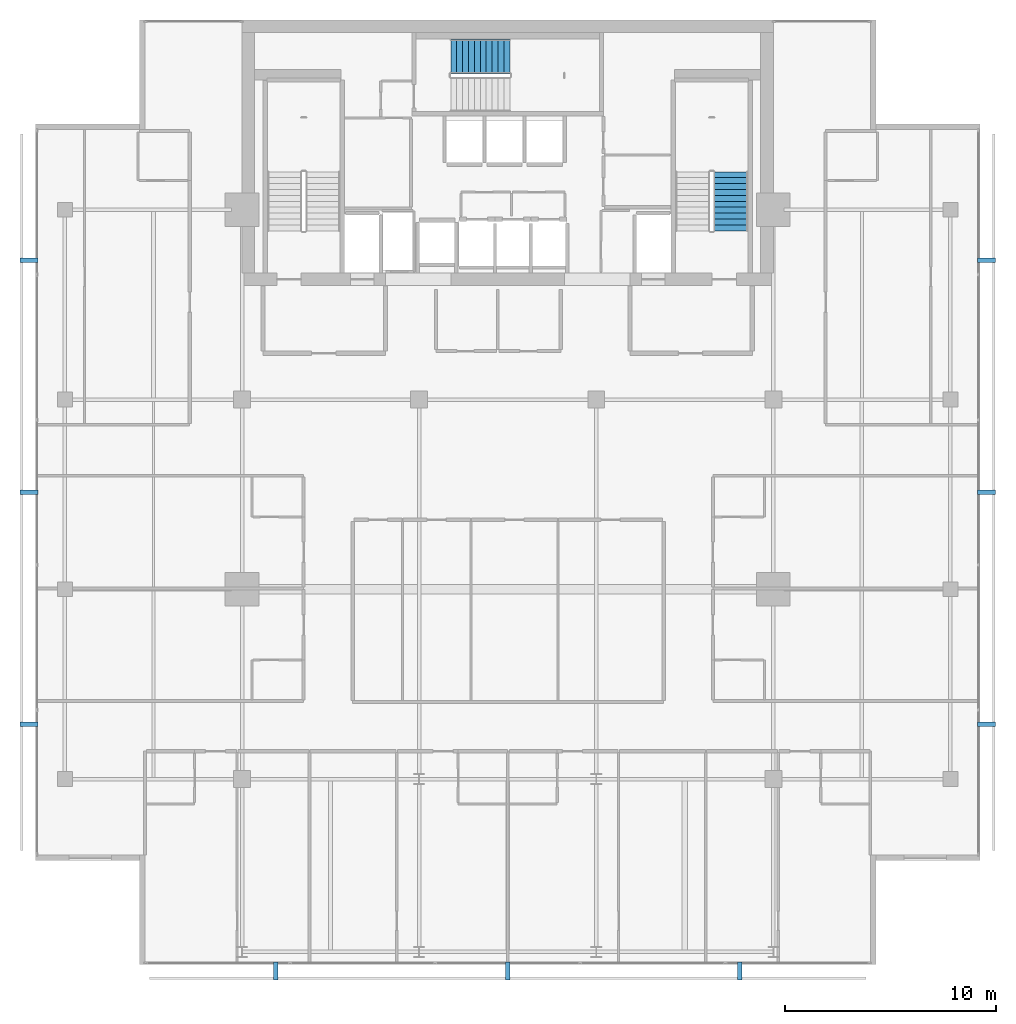
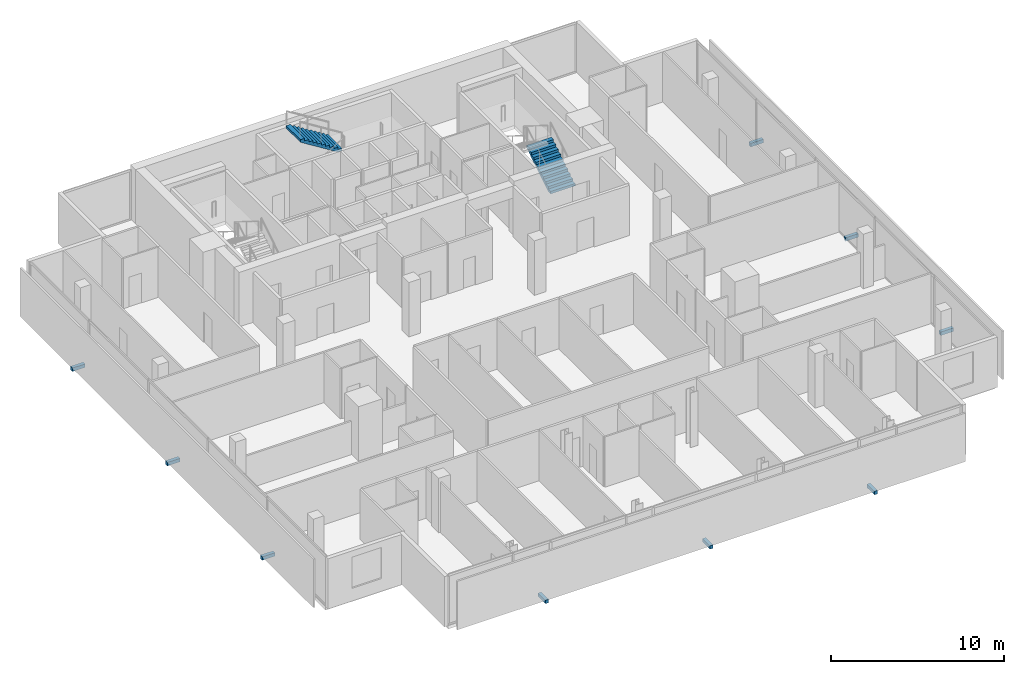
# One storey, part 24 of 26: 9 discrete accessories, 2 stair flights, 2 elements without a shape of their own.
"""IFC4 building model written with IfcOpenShell, lengths in metres."""

from ifc_helpers import new_model, si_unit, direction, frame, origin, origin_2d, place, context, subcontext, project, spatial, polyline, rectangle, outline, extrude, material, type_object, element, aggregate, save


model = new_model("IFC4")

# Units and contexts
model_context = context("Model", 3, precision=1e-05, world=origin(), true_north=direction((0.0, 1.0)))
body_context = subcontext(model_context, "Body", "Model", "MODEL_VIEW")
ifc_project = project(units=[si_unit("LENGTHUNIT", "METRE"), si_unit("AREAUNIT", "SQUARE_METRE"), si_unit("VOLUMEUNIT", "CUBIC_METRE"), si_unit("PLANEANGLEUNIT", "RADIAN"), si_unit("MASSUNIT", "GRAM", prefix="KILO")], contexts=[model_context])

# Site, building, storey
site_placement = place(None, origin())
site = spatial("IfcSite", under=ifc_project, at=site_placement, CompositionType="ELEMENT")
building_placement = place(site_placement, origin())
building = spatial("IfcBuilding", under=site, at=building_placement, Name="Maruvema Waterfront Hotel and Observation Tower", CompositionType="ELEMENT")
storey_placement = place(building_placement, frame((0.0, 0.0, 312.550048828125)))
storey = spatial("IfcBuildingStorey", under=building, at=storey_placement, Name="L77", CompositionType="ELEMENT", Elevation=312.550048828125)

# Stair, stair flight
ifc_material_1 = material(Name="Concrete C50/60", Category="concrete")
stair_type = type_object("IfcStairType", Name="Dogleg Exit Stair 1650 mm (22R x 175.0 mm)", PredefinedType="HALF_TURN_STAIR", material=ifc_material_1)
stair_1_placement = place(storey_placement, origin())
stair_1 = element("IfcStair", 1, at=stair_1_placement, inside=storey, type_object=stair_type, Name="L77 ST-02", PredefinedType="HALF_TURN_STAIR")
ifc_material_2 = material(Name="Concrete C50/60", Category="concrete")
stair_flight_type = type_object("IfcStairFlightType", Name="Reinforced Concrete Stair Flight 1650 mm (11R x 175.0 mm)", PredefinedType="STRAIGHT", material=ifc_material_2)
stair_flight_1_placement = place(storey_placement, frame((37.89990234375, 52.27490234375, 1.925048828125), z_axis=(0.0, 0.0, 1.0), x_axis=(-1.0, 0.0, 0.0)))
stair_flight_1 = element("IfcStairFlight", 2, at=stair_flight_1_placement, type_object=stair_flight_type, Name="ST-02 flight 2", NumberOfRisers=11, NumberOfTreads=10, PredefinedType="STRAIGHT", RiserHeight=0.175, TreadLength=0.28, context=body_context, shape_type="SweptSolid", body=[
    extrude(outline(polyline([(0.0, 0.0), (0.0, 0.175048828125), (0.280029296875, 0.175048828125), (0.280029296875, 0.35009765625), (0.56005859375, 0.35009765625), (0.56005859375, 0.52490234375), (0.840087890625, 0.52490234375), (0.840087890625, 0.699951171875), (1.1201171875, 0.699951171875), (1.1201171875, 0.875), (1.39990234375, 0.875), (1.39990234375, 1.050048828125), (1.679931640625, 1.050048828125), (1.679931640625, 1.22509765625), (1.9599609375, 1.22509765625), (1.9599609375, 1.39990234375), (2.239990234375, 1.39990234375), (2.239990234375, 1.574951171875), (2.52001953125, 1.574951171875), (2.52001953125, 1.75), (2.800048828125, 1.75), (2.800048828125, 1.925048828125), (2.800048828125, 1.5732421875), (0.28271484375, 0.0), (0.0, 0.0)])), frame((0.0, 0.824951171875, 0.0), z_axis=(0.0, -1.0, 0.0), x_axis=(1.0, 0.0, 0.0)), (0.0, 0.0, 1.0), 1.64990234375),
])
aggregate(stair_1, [stair_flight_1])

stair_2_placement = place(storey_placement, origin())
stair_2 = element("IfcStair", 3, at=stair_2_placement, inside=storey, type_object=stair_type, Name="L77 ST-03", PredefinedType="HALF_TURN_STAIR")
stair_flight_2_placement = place(storey_placement, frame((48.375, 44.0, 0.0), z_axis=(0.0, 0.0, 1.0), x_axis=(0.0, 1.0, 0.0)))
stair_flight_2 = element("IfcStairFlight", 4, at=stair_flight_2_placement, type_object=stair_flight_type, Name="ST-03 flight 1", NumberOfRisers=11, NumberOfTreads=10, PredefinedType="STRAIGHT", RiserHeight=0.175, TreadLength=0.28, context=body_context, shape_type="SweptSolid", body=[
    extrude(outline(polyline([(0.0, 0.0), (0.0, 0.175048828125), (0.280029296875, 0.175048828125), (0.280029296875, 0.35009765625), (0.56005859375, 0.35009765625), (0.56005859375, 0.52490234375), (0.840087890625, 0.52490234375), (0.840087890625, 0.699951171875), (1.1201171875, 0.699951171875), (1.1201171875, 0.875), (1.39990234375, 0.875), (1.39990234375, 1.050048828125), (1.679931640625, 1.050048828125), (1.679931640625, 1.22509765625), (1.9599609375, 1.22509765625), (1.9599609375, 1.39990234375), (2.239990234375, 1.39990234375), (2.239990234375, 1.574951171875), (2.52001953125, 1.574951171875), (2.52001953125, 1.75), (2.800048828125, 1.75), (2.800048828125, 1.925048828125), (2.800048828125, 1.5732421875), (0.28271484375, 0.0), (0.0, 0.0)])), frame((0.0, 0.824951171875, 0.0), z_axis=(0.0, -1.0, 0.0), x_axis=(1.0, 0.0, 0.0)), (0.0, 0.0, 1.0), 1.64990234375),
])
aggregate(stair_2, [stair_flight_2])

# Discrete accessories
ifc_material_3 = material(Name="Duplex stainless steel Grade 2205", Category="steel")
discrete_accessory_type = type_object("IfcDiscreteAccessoryType", Name="Double-Skin Cavity Stainless Outrigger Bracket", PredefinedType="BRACKET", material=ifc_material_3)
for number, where, z_axis, x_axis, name in (
    (5, (26.7919921875, 8.89990234375, -0.14013671875), (0.0, 0.0, 1.0), (1.0, 0.0, 0.0), "L77 Outer Skin Support Bracket 1"),
    (6, (37.800048828125, 8.89990234375, -0.14013671875), (0.0, 0.0, 1.0), (1.0, 0.0, 0.0), "L77 Outer Skin Support Bracket 2"),
    (7, (48.80810546875, 8.89990234375, -0.14013671875), (0.0, 0.0, 1.0), (1.0, 0.0, 0.0), "L77 Outer Skin Support Bracket 3"),
    (8, (60.5, 20.592041015625, -0.14013671875), (0.0, 0.0, 1.0), (0.0, 1.0, 0.0), "L77 Outer Skin Support Bracket 1"),
    (9, (60.5, 31.60009765625, -0.14013671875), (0.0, 0.0, 1.0), (0.0, 1.0, 0.0), "L77 Outer Skin Support Bracket 2"),
    (10, (60.5, 42.60791015625, -0.14013671875), (0.0, 0.0, 1.0), (0.0, 1.0, 0.0), "L77 Outer Skin Support Bracket 3"),
    (11, (15.10009765625, 42.60791015625, -0.14013671875), (0.0, 0.0, 1.0), (0.0, -1.0, 0.0), "L77 Outer Skin Support Bracket 1"),
    (12, (15.10009765625, 31.60009765625, -0.14013671875), (0.0, 0.0, 1.0), (0.0, -1.0, 0.0), "L77 Outer Skin Support Bracket 2"),
    (13, (15.10009765625, 20.592041015625, -0.14013671875), (0.0, 0.0, 1.0), (0.0, -1.0, 0.0), "L77 Outer Skin Support Bracket 3"),
):
    element("IfcDiscreteAccessory", number, at=place(storey_placement, frame(where, z_axis=z_axis, x_axis=x_axis)), inside=storey, type_object=discrete_accessory_type, Name=name, PredefinedType="BRACKET", context=body_context, shape_type="SweptSolid", body=[
        extrude(rectangle(XDim=0.219970703125, YDim=0.860107421875, at=origin_2d()), origin(), (0.0, 0.0, 1.0), 0.239990234375),
    ])

save(model, "model.ifc")
